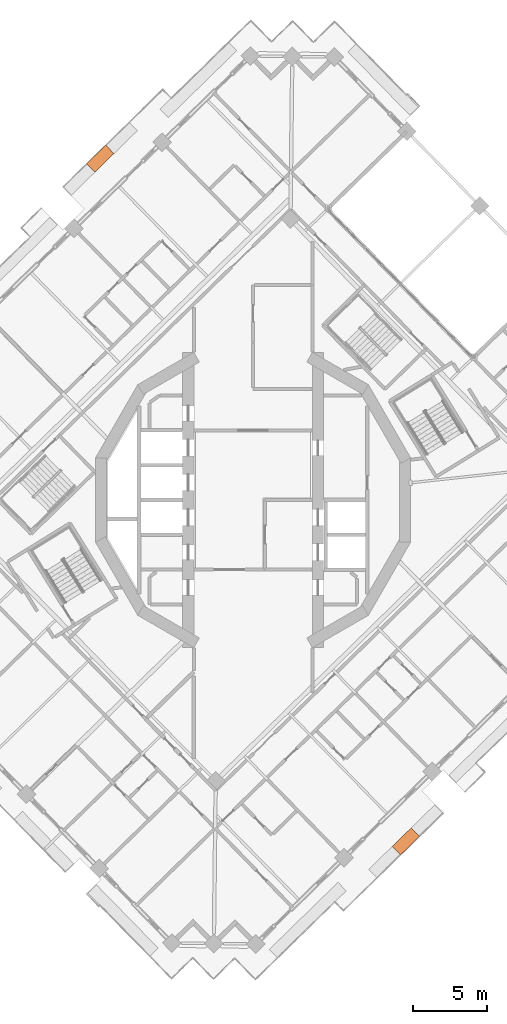
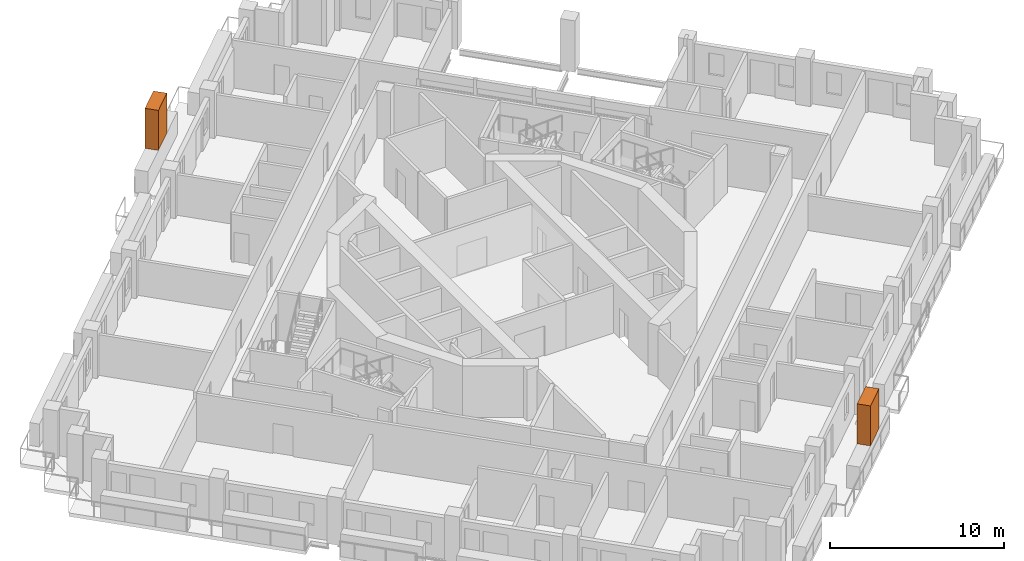
# One storey, part 20 of 20: 2 proxies.
"""IFC4 building model written with IfcOpenShell, lengths in metres."""

from ifc_helpers import new_model, si_unit, direction, frame, origin, origin_2d, place, context, subcontext, project, spatial, rectangle, extrude, element, save


model = new_model("IFC4")

# Units and contexts
model_context = context("Model", 3, precision=1e-05, world=origin(), true_north=direction((0.0, 1.0)))
body_context = subcontext(model_context, "Body", "Model", "MODEL_VIEW")
ifc_project = project(units=[si_unit("LENGTHUNIT", "METRE"), si_unit("AREAUNIT", "SQUARE_METRE"), si_unit("VOLUMEUNIT", "CUBIC_METRE"), si_unit("PLANEANGLEUNIT", "RADIAN"), si_unit("MASSUNIT", "GRAM", prefix="KILO")], contexts=[model_context])

# Site, building, storey
site_placement = place(None, origin())
site = spatial("IfcSite", under=ifc_project, at=site_placement, CompositionType="ELEMENT")
building_placement = place(site_placement, origin())
building = spatial("IfcBuilding", under=site, at=building_placement, Name="Cantera Rosa Tower", CompositionType="ELEMENT")
storey_placement = place(building_placement, frame((0.0, 0.0, 212.60009765625)))
storey = spatial("IfcBuildingStorey", under=building, at=storey_placement, Name="L45", CompositionType="ELEMENT", Elevation=212.60009765625)

# Proxies
for number, where, z_axis, x_axis, name in (
    (1, (-10.30712890625, 23.02783203125, 1.60009765625), (0.0, 0.0, 1.0), (-0.71528629107, -0.698831540364, 0.0), "TREE L45-07"),
    (2, (10.30712890625, -23.02783203125, 1.60009765625), (0.0, 0.0, 1.0), (0.71528629107, 0.698831540364, 0.0), "TREE L45-17"),
):
    element("IfcBuildingElementProxy", number, at=place(storey_placement, frame(where, z_axis=z_axis, x_axis=x_axis)), inside=storey, Name=name, ObjectType="TREE", PredefinedType="USERDEFINED", context=body_context, shape_type="SweptSolid", body=[
        extrude(rectangle(XDim=1.800048828125, YDim=0.800048828125, at=origin_2d()), origin(), (0.0, 0.0, 1.0), 2.800048828125),
    ])

save(model, "model.ifc")
